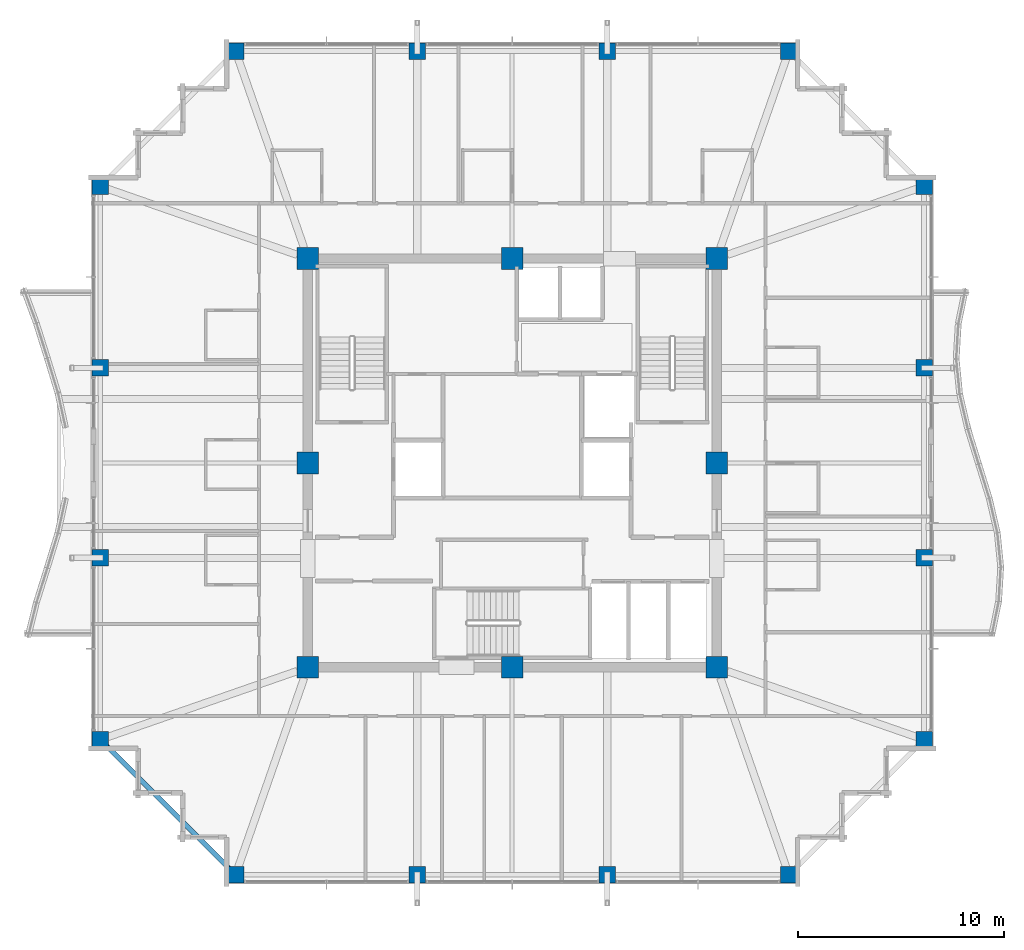
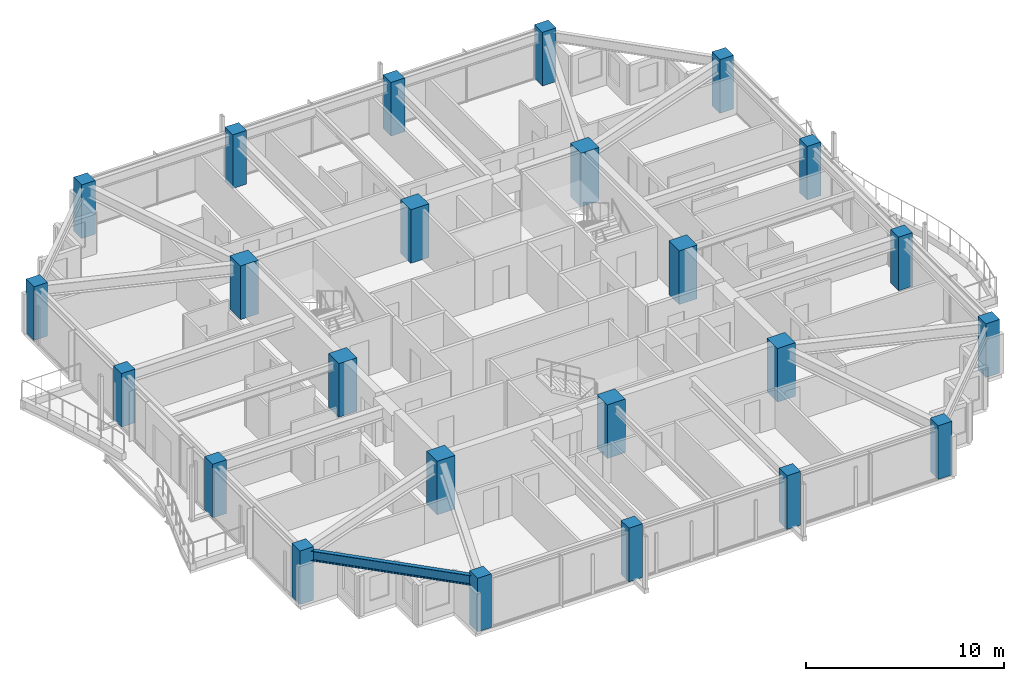
# One storey, part 1 of 35: 24 columns, 1 beam.
"""IFC4 building model written with IfcOpenShell, lengths in metres."""

from ifc_helpers import new_model, si_unit, direction, frame, origin, origin_2d, place, context, subcontext, project, spatial, rectangle, i_section, extrude, material, material_profile, profile_set, type_object, element, save


model = new_model("IFC4")

# Units and contexts
model_context = context("Model", 3, precision=1e-05, world=origin(), true_north=direction((0.0, 1.0)))
body_context = subcontext(model_context, "Body", "Model", "MODEL_VIEW")
ifc_project = project(units=[si_unit("LENGTHUNIT", "METRE"), si_unit("AREAUNIT", "SQUARE_METRE"), si_unit("VOLUMEUNIT", "CUBIC_METRE"), si_unit("PLANEANGLEUNIT", "RADIAN"), si_unit("MASSUNIT", "GRAM", prefix="KILO")], contexts=[model_context])

# Site, building, storey
site_placement = place(None, origin())
site = spatial("IfcSite", under=ifc_project, at=site_placement, CompositionType="ELEMENT")
building_placement = place(site_placement, origin())
building = spatial("IfcBuilding", under=site, at=building_placement, Name="Kolvaren Belvedere", CompositionType="ELEMENT")
storey_placement = place(building_placement, frame((0.0, 0.0, 216.300048828125)))
storey = spatial("IfcBuildingStorey", under=building, at=storey_placement, Name="L63", CompositionType="ELEMENT", Elevation=216.300048828125)

# Columns
ifc_material_1 = material(Name="Concrete C50/60", Category="concrete")
ifc_material_profile_1 = material_profile(ifc_material_1, rectangle(XDim=1.050048828125, YDim=1.050048828125, at=origin_2d()), Name="RC 1050X1050")
ifc_profile_set_1 = profile_set([ifc_material_profile_1], Name="Concrete C50/60")
column_type_1 = type_object("IfcColumnType", Name="COL-RC-1050", PredefinedType="COLUMN", material=ifc_profile_set_1)
for number, where, z_axis, x_axis, name in (
    (1, (-9.89990234375, -9.89990234375, 0.0), (0.0, 0.0, 1.0), (1.0, 0.0, 0.0), "L63 Core Column CC1"),
    (2, (9.89990234375, -9.89990234375, 0.0), (0.0, 0.0, 1.0), (1.0, 0.0, 0.0), "L63 Core Column CC2"),
    (3, (9.89990234375, 9.89990234375, 0.0), (0.0, 0.0, 1.0), (1.0, 0.0, 0.0), "L63 Core Column CC3"),
    (4, (-9.89990234375, 9.89990234375, 0.0), (0.0, 0.0, 1.0), (1.0, 0.0, 0.0), "L63 Core Column CC4"),
    (5, (0.0, -9.89990234375, 0.0), (0.0, 0.0, 1.0), (1.0, 0.0, 0.0), "L63 Core Column CM1"),
    (6, (9.89990234375, 0.0, 0.0), (0.0, 0.0, 1.0), (1.0, 0.0, 0.0), "L63 Core Column CM2"),
    (7, (0.0, 9.89990234375, 0.0), (0.0, 0.0, 1.0), (1.0, 0.0, 0.0), "L63 Core Column CM3"),
    (8, (-9.89990234375, 0.0, 0.0), (0.0, 0.0, 1.0), (1.0, 0.0, 0.0), "L63 Core Column CM4"),
):
    element("IfcColumn", number, at=place(storey_placement, frame(where, z_axis=z_axis, x_axis=x_axis)), inside=storey, type_object=column_type_1, Name=name, PredefinedType="COLUMN", context=body_context, shape_type="SweptSolid", body=[
        extrude(rectangle(XDim=1.050048828125, YDim=1.050048828125, at=origin_2d()), origin(), (0.0, 0.0, 1.0), 3.300048828125),
    ])
ifc_material_2 = material(Name="Concrete C50/60", Category="concrete")
ifc_material_profile_2 = material_profile(ifc_material_2, rectangle(XDim=0.800048828125, YDim=0.800048828125, at=origin_2d()), Name="RC 800X800")
ifc_profile_set_2 = profile_set([ifc_material_profile_2], Name="Concrete C50/60")
column_type_2 = type_object("IfcColumnType", Name="COL-RC-800", PredefinedType="COLUMN", material=ifc_profile_set_2)
for number, where, z_axis, x_axis, name in (
    (9, (-13.39990234375, -19.949951171875, 0.0), (0.0, 0.0, 1.0), (1.0, 0.0, 0.0), "L63 Perimeter Column S1"),
    (10, (-4.60009765625, -19.949951171875, 0.0), (0.0, 0.0, 1.0), (1.0, 0.0, 0.0), "L63 Perimeter Column S2"),
    (11, (4.60009765625, -19.949951171875, 0.0), (0.0, 0.0, 1.0), (1.0, 0.0, 0.0), "L63 Perimeter Column S3"),
    (12, (13.39990234375, -19.949951171875, 0.0), (0.0, 0.0, 1.0), (1.0, 0.0, 0.0), "L63 Perimeter Column S4"),
    (13, (-13.39990234375, 19.949951171875, 0.0), (0.0, 0.0, 1.0), (1.0, 0.0, 0.0), "L63 Perimeter Column N1"),
    (14, (-4.60009765625, 19.949951171875, 0.0), (0.0, 0.0, 1.0), (1.0, 0.0, 0.0), "L63 Perimeter Column N2"),
    (15, (4.60009765625, 19.949951171875, 0.0), (0.0, 0.0, 1.0), (1.0, 0.0, 0.0), "L63 Perimeter Column N3"),
    (16, (13.39990234375, 19.949951171875, 0.0), (0.0, 0.0, 1.0), (1.0, 0.0, 0.0), "L63 Perimeter Column N4"),
    (17, (-19.949951171875, -13.39990234375, 0.0), (0.0, 0.0, 1.0), (1.0, 0.0, 0.0), "L63 Perimeter Column W1"),
    (18, (-19.949951171875, -4.60009765625, 0.0), (0.0, 0.0, 1.0), (1.0, 0.0, 0.0), "L63 Perimeter Column W2"),
    (19, (-19.949951171875, 4.60009765625, 0.0), (0.0, 0.0, 1.0), (1.0, 0.0, 0.0), "L63 Perimeter Column W3"),
    (20, (-19.949951171875, 13.39990234375, 0.0), (0.0, 0.0, 1.0), (1.0, 0.0, 0.0), "L63 Perimeter Column W4"),
    (21, (19.949951171875, -13.39990234375, 0.0), (0.0, 0.0, 1.0), (1.0, 0.0, 0.0), "L63 Perimeter Column E1"),
    (22, (19.949951171875, -4.60009765625, 0.0), (0.0, 0.0, 1.0), (1.0, 0.0, 0.0), "L63 Perimeter Column E2"),
    (23, (19.949951171875, 4.60009765625, 0.0), (0.0, 0.0, 1.0), (1.0, 0.0, 0.0), "L63 Perimeter Column E3"),
    (24, (19.949951171875, 13.39990234375, 0.0), (0.0, 0.0, 1.0), (1.0, 0.0, 0.0), "L63 Perimeter Column E4"),
):
    element("IfcColumn", number, at=place(storey_placement, frame(where, z_axis=z_axis, x_axis=x_axis)), inside=storey, type_object=column_type_2, Name=name, PredefinedType="COLUMN", context=body_context, shape_type="SweptSolid", body=[
        extrude(rectangle(XDim=0.800048828125, YDim=0.800048828125, at=origin_2d()), origin(), (0.0, 0.0, 1.0), 3.300048828125),
    ])

# Beam
ifc_material_3 = material(Name="Structural steel ASTM A992 Grade 50", Category="steel")
ifc_material_profile_3 = material_profile(ifc_material_3, i_section(OverallWidth=0.22900390625, OverallDepth=0.612060546875, WebThickness=0.011962890625, FlangeThickness=0.01953125, FilletRadius=0.01806640625, at=origin_2d()), Name="W24X84")
ifc_profile_set_3 = profile_set([ifc_material_profile_3], Name="Structural steel ASTM A992 Grade 50")
beam_type = type_object("IfcBeamType", Name="BM-SPAN-W24X84", PredefinedType="SPANDREL", material=ifc_profile_set_3)
beam_placement = place(storey_placement, frame((-19.82275390625, -13.52734375, 2.77392578125), z_axis=(0.707106781187, -0.707106781187, 0.0), x_axis=(0.707106781187, 0.707106781187, 0.0)))
element("IfcBeam", 25, at=beam_placement, inside=storey, type_object=beam_type, Name="L63 Perimeter Spandrel W1-S1", PredefinedType="SPANDREL", context=body_context, shape_type="SweptSolid", body=[
    extrude(i_section(OverallWidth=0.22900390625, OverallDepth=0.612060546875, WebThickness=0.011962890625, FlangeThickness=0.01953125, FilletRadius=0.01806640625, at=origin_2d()), origin(), (0.0, 0.0, 1.0), 8.903076171875),
])

save(model, "model.ifc")
